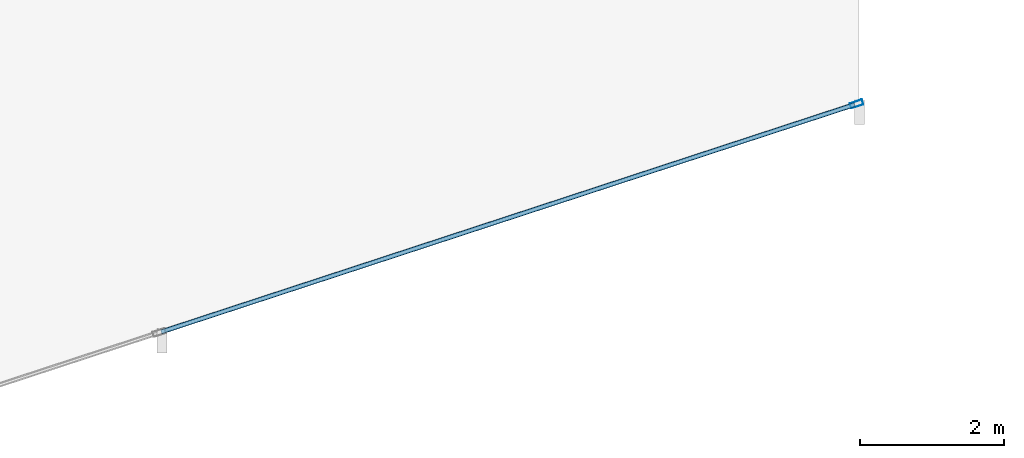
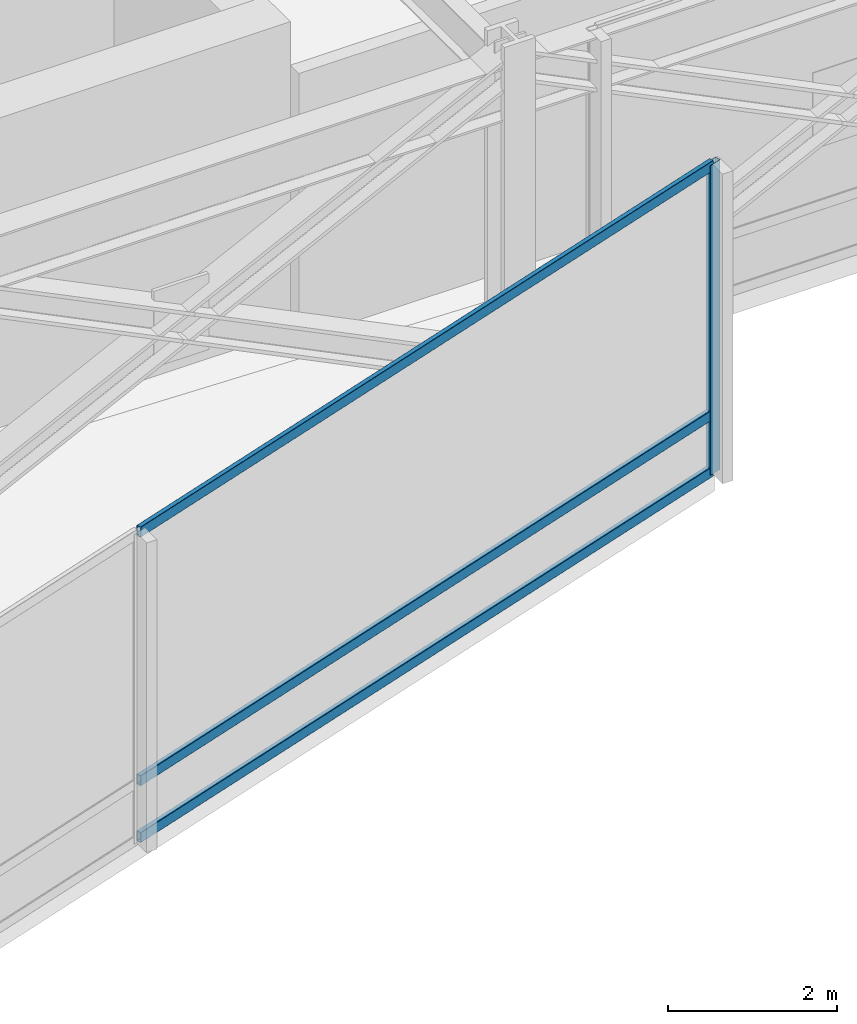
# One storey, part 11 of 42: 4 members, 1 element without a shape of its own.
"""IFC4 building model written with IfcOpenShell, lengths in metres."""

from ifc_helpers import new_model, si_unit, direction, frame, origin, origin_2d, place, context, subcontext, project, spatial, hollow_rectangle, extrude, material, layer, layer_set, material_profile, profile_set, type_object, element, aggregate, save


model = new_model("IFC4")

# Units and contexts
model_context = context("Model", 3, precision=1e-05, world=origin(), true_north=direction((0.0, 1.0)))
body_context = subcontext(model_context, "Body", "Model", "MODEL_VIEW")
ifc_project = project(units=[si_unit("LENGTHUNIT", "METRE"), si_unit("AREAUNIT", "SQUARE_METRE"), si_unit("VOLUMEUNIT", "CUBIC_METRE"), si_unit("PLANEANGLEUNIT", "RADIAN"), si_unit("MASSUNIT", "GRAM", prefix="KILO")], contexts=[model_context])

# Site, building, storey
site_placement = place(None, origin())
site = spatial("IfcSite", under=ifc_project, at=site_placement, CompositionType="ELEMENT")
building_placement = place(site_placement, origin())
building = spatial("IfcBuilding", under=site, at=building_placement, Name="Solvaryn Broadcast Tower", CompositionType="ELEMENT")
storey_placement = place(building_placement, frame((0.0, 0.0, 100.199951171875)))
storey = spatial("IfcBuildingStorey", under=building, at=storey_placement, Name="L24", CompositionType="ELEMENT", Elevation=100.199951171875)

# Curtain wall, members
ifc_material_1 = material(Name="Aluminium and Terracotta Unitised Curtain Wall", Category="masonry")
ifc_layer = layer(ifc_material_1, 0.199951171875)
ifc_layer_set = layer_set([ifc_layer], Name="CW-SYS2-LOWMID")
curtain_wall_type = type_object("IfcCurtainWallType", Name="CW-SYS2-LOWMID", PredefinedType="NOTDEFINED", material=ifc_layer_set)
curtain_wall_placement = place(storey_placement, origin())
curtain_wall = element("IfcCurtainWall", 1, at=curtain_wall_placement, inside=storey, type_object=curtain_wall_type, Name="L24 Curtain Wall DR4", PredefinedType="NOTDEFINED")
ifc_material_2 = material(Name="Anodised Aluminium 6063-T6", Category="aluminium")
ifc_material_profile_1 = material_profile(ifc_material_2, hollow_rectangle(XDim=0.074951171875, YDim=0.179931640625, WallThickness=0.00390625, InnerFilletRadius=0.00390625, OuterFilletRadius=0.008056640625, at=origin_2d()))
ifc_profile_set_1 = profile_set([ifc_material_profile_1], Name="Anodised Aluminium 6063-T6")
member_type_1 = type_object("IfcMemberType", Name="CW-MUL-180", PredefinedType="MULLION", material=ifc_profile_set_1)
member_1_placement = place(storey_placement, frame((45.987548828125, 5.90673828125, 0.0), z_axis=(0.0, 0.0, 1.0), x_axis=(-0.311594044587, 0.950215318429, 0.0)))
member_1 = element("IfcMember", 2, at=member_1_placement, type_object=member_type_1, Name="CWS2 mullion 3", PredefinedType="MULLION", context=body_context, shape_type="SweptSolid", body=[
    extrude(hollow_rectangle(XDim=0.074951171875, YDim=0.179931640625, WallThickness=0.00390625, InnerFilletRadius=0.00390625, OuterFilletRadius=0.008056640625, at=origin_2d()), origin(), (0.0, 0.0, 1.0), 4.469970703125),
])
ifc_material_3 = material(Name="Anodised Aluminium 6063-T6", Category="aluminium")
ifc_material_profile_2 = material_profile(ifc_material_3, hollow_rectangle(XDim=0.06494140625, YDim=0.14990234375, WallThickness=0.00390625, InnerFilletRadius=0.00390625, OuterFilletRadius=0.008056640625, at=origin_2d()))
ifc_profile_set_2 = profile_set([ifc_material_profile_2], Name="Anodised Aluminium 6063-T6")
member_type_2 = type_object("IfcMemberType", Name="CW-TRN-150", PredefinedType="USERDEFINED", material=ifc_profile_set_2)
member_2_placement = place(storey_placement, frame((36.31640625, 2.7353515625, 0.030029296875), z_axis=(0.950218915167, 0.311583076016, 0.0), x_axis=(-0.311583076016, 0.950218915167, 0.0)))
member_2 = element("IfcMember", 3, at=member_2_placement, type_object=member_type_2, Name="CWS2 transom 2.1", ObjectType="TRANSOM", PredefinedType="USERDEFINED", context=body_context, shape_type="SweptSolid", body=[
    extrude(hollow_rectangle(XDim=0.06494140625, YDim=0.14990234375, WallThickness=0.00390625, InnerFilletRadius=0.00390625, OuterFilletRadius=0.008056640625, at=origin_2d()), origin(), (0.0, 0.0, 1.0), 10.147705078125),
])
member_3_placement = place(storey_placement, frame((36.31640625, 2.7353515625, 0.85009765625), z_axis=(0.950218915167, 0.311583076016, 0.0), x_axis=(-0.311583076016, 0.950218915167, 0.0)))
member_3 = element("IfcMember", 4, at=member_3_placement, type_object=member_type_2, Name="CWS2 transom 2.2", ObjectType="TRANSOM", PredefinedType="USERDEFINED", context=body_context, shape_type="SweptSolid", body=[
    extrude(hollow_rectangle(XDim=0.06494140625, YDim=0.14990234375, WallThickness=0.00390625, InnerFilletRadius=0.00390625, OuterFilletRadius=0.008056640625, at=origin_2d()), origin(), (0.0, 0.0, 1.0), 10.147705078125),
])
member_4_placement = place(storey_placement, frame((36.31640625, 2.7353515625, 4.43994140625), z_axis=(0.950218915167, 0.311583076016, 0.0), x_axis=(-0.311583076016, 0.950218915167, 0.0)))
member_4 = element("IfcMember", 5, at=member_4_placement, type_object=member_type_2, Name="CWS2 transom 2.3", ObjectType="TRANSOM", PredefinedType="USERDEFINED", context=body_context, shape_type="SweptSolid", body=[
    extrude(hollow_rectangle(XDim=0.06494140625, YDim=0.14990234375, WallThickness=0.00390625, InnerFilletRadius=0.00390625, OuterFilletRadius=0.008056640625, at=origin_2d()), origin(), (0.0, 0.0, 1.0), 10.147705078125),
])
aggregate(curtain_wall, [member_1, member_2, member_3, member_4])

save(model, "model.ifc")
